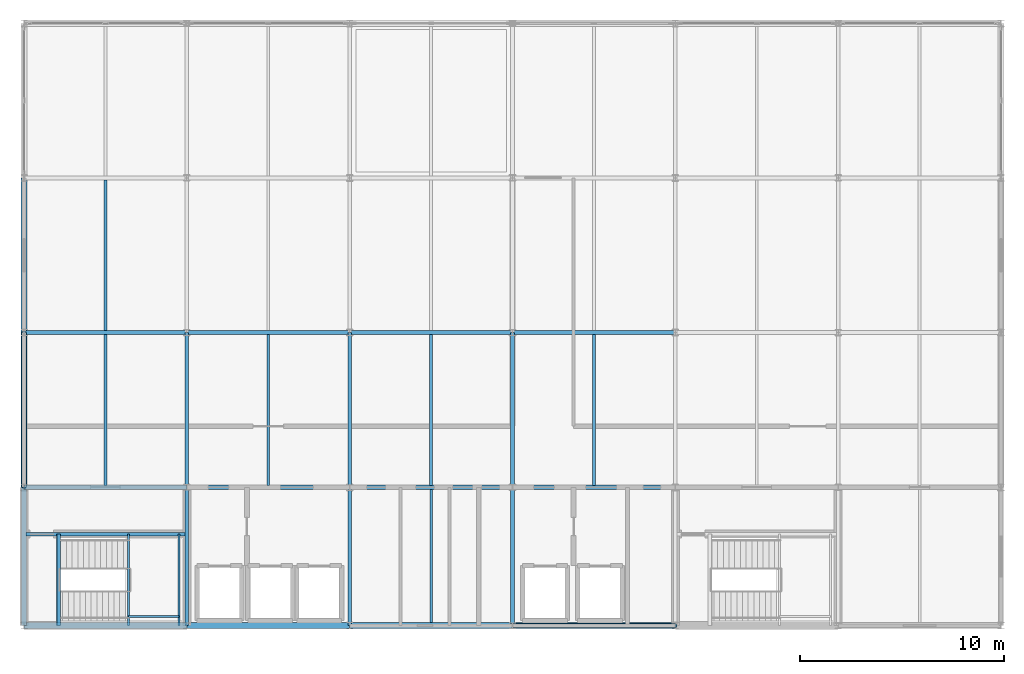
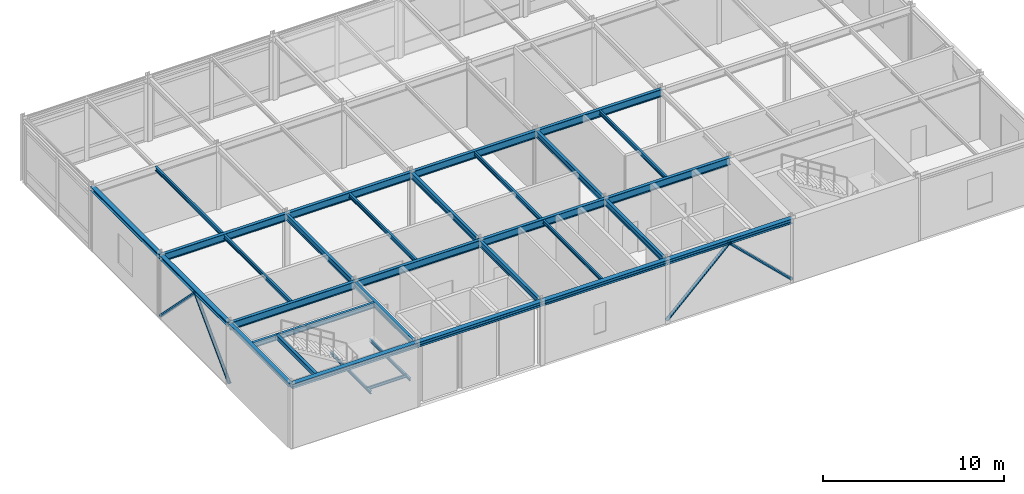
# One storey, part 3 of 12: 32 beams, 4 members.
"""IFC4 building model written with IfcOpenShell, lengths in metres."""

import ifcopenshell
import ifcopenshell.guid

model = None  # the IFC model being written
_history = None  # IfcOwnerHistory: only IFC2X3 demands one
_inside = {}  # id of a spatial element -> (the spatial element, [elements in it])
_under = {}  # id of a project, library or spatial element -> (it, [spatial elements below it])
_declared = {}  # id of a project -> (the project, [libraries it declares])
_typed = {}  # id of a type object -> (the type object, [elements of that type])
_made_of = {}  # id of a material, layer set ... -> (it, [elements and type objects made of it])


def new_model(schema):
    """Start an empty IFC model of exactly this schema.

    Asked for "IFC4X3", IfcOpenShell would pick the latest addendum, in which some entities
    have other attributes; the version numbers below select the first issue.
    IFC2X3 requires an IfcOwnerHistory on every rooted entity: one is made here for all.
    """
    global model, _history
    if schema == "IFC4X3":
        model = ifcopenshell.file(schema_version=(4, 3, 0, 0))
    else:
        model = ifcopenshell.file(schema=schema)
    _inside.clear()
    _under.clear()
    _declared.clear()
    _typed.clear()
    _made_of.clear()
    _history = None
    if model.schema == "IFC2X3":
        org = make("IfcOrganization", Name="unknown")
        user = make(
            "IfcPersonAndOrganization",
            ThePerson=make("IfcPerson", FamilyName="unknown"),
            TheOrganization=org,
        )
        app = make(
            "IfcApplication",
            ApplicationDeveloper=org,
            Version="unknown",
            ApplicationFullName="unknown",
            ApplicationIdentifier="unknown",
        )
        _history = make(
            "IfcOwnerHistory",
            OwningUser=user,
            OwningApplication=app,
            ChangeAction="ADDED",
            CreationDate=0,
        )
    return model


def make(cls, **values):
    """One entity of the class cls with the attributes given. An attribute that is None is left unset."""
    return model.create_entity(
        cls, **{name: value for name, value in values.items() if value is not None}
    )


def rooted(cls, **values):
    """An entity with a GlobalId (a new one), such as an element, a storey or a relation."""
    return make(cls, GlobalId=ifcopenshell.guid.new(), OwnerHistory=_history, **values)


def si_unit(unit_type, name, prefix=None):
    """IfcSIUnit, for example si_unit("LENGTHUNIT", "METRE", prefix="MILLI")."""
    return make("IfcSIUnit", UnitType=unit_type, Prefix=prefix, Name=name)


def assignment(units):
    """IfcUnitAssignment: the units of a project."""
    return None if units is None else make("IfcUnitAssignment", Units=units)


def point(xyz):
    """IfcCartesianPoint."""
    return None if xyz is None else make("IfcCartesianPoint", Coordinates=xyz)


def direction(xyz):
    """IfcDirection."""
    return None if xyz is None else make("IfcDirection", DirectionRatios=xyz)


def frame(location, z_axis=None, x_axis=None):
    """IfcAxis2Placement3D, a coordinate frame: its origin and axes. An axis left out is left unset."""
    return make(
        "IfcAxis2Placement3D",
        Location=point(location),
        Axis=direction(z_axis),
        RefDirection=direction(x_axis),
    )


def frame_2d(location, x_axis=None):
    """IfcAxis2Placement2D, a coordinate frame in the plane: its origin and x axis."""
    return make(
        "IfcAxis2Placement2D", Location=point(location), RefDirection=direction(x_axis)
    )


def origin():
    """The frame at (0, 0, 0) with its axes left unset."""
    return frame((0.0, 0.0, 0.0))


def origin_2d():
    """The frame at (0, 0) in the plane with its x axis left unset."""
    return frame_2d((0.0, 0.0))


def place(relative_to, where):
    """IfcLocalPlacement: puts the frame where relative to a parent placement (None: the world)."""
    return make(
        "IfcLocalPlacement", PlacementRelTo=relative_to, RelativePlacement=where
    )


def context(
    kind, dimensions, precision=None, world=None, true_north=None, identifier=None
):
    """IfcGeometricRepresentationContext, for example the 3D "Model" context."""
    return make(
        "IfcGeometricRepresentationContext",
        ContextIdentifier=identifier,
        ContextType=kind,
        CoordinateSpaceDimension=dimensions,
        Precision=precision,
        WorldCoordinateSystem=world,
        TrueNorth=true_north,
    )


def subcontext(parent, identifier, kind, view, scale=None):
    """IfcGeometricRepresentationSubContext, for example "Body" below "Model"."""
    return make(
        "IfcGeometricRepresentationSubContext",
        ContextIdentifier=identifier,
        ContextType=kind,
        ParentContext=parent,
        TargetScale=scale,
        TargetView=view,
    )


def project(units=None, contexts=None):
    """IfcProject with its units and contexts."""
    return rooted(
        "IfcProject",
        Name="project",
        RepresentationContexts=contexts,
        UnitsInContext=assignment(units),
    )


def spatial(cls, under=None, at=None, **own):
    """A site, building, storey or space (cls), placed at a placement, below another one or the project."""
    s = rooted(cls, ObjectPlacement=at, **own)
    if under is not None:
        _under.setdefault(under.id(), (under, []))[1].append(s)
    return s


def profile(cls, at=None, kind="AREA", **sizes):
    """A parametric profile (cls). Its sizes go by their IFC names, for example OverallWidth=200.0."""
    return make(cls, ProfileType=kind, Position=at, **sizes)


def hollow_rectangle(**sizes):
    """IfcRectangleHollowProfileDef."""
    return profile("IfcRectangleHollowProfileDef", **sizes)


def hollow_circle(**sizes):
    """IfcCircleHollowProfileDef."""
    return profile("IfcCircleHollowProfileDef", **sizes)


def i_section(**sizes):
    """IfcIShapeProfileDef."""
    return profile("IfcIShapeProfileDef", **sizes)


def extrude(swept, where, along, depth):
    """IfcExtrudedAreaSolid: the profile swept, set in the frame where, extruded along a direction by depth."""
    return make(
        "IfcExtrudedAreaSolid",
        SweptArea=swept,
        Position=where,
        ExtrudedDirection=direction(along),
        Depth=depth,
    )


def shape(context_of_items, identifier, shape_type, items):
    """IfcShapeRepresentation: the items that make up one representation, for example the "Body"."""
    return make(
        "IfcShapeRepresentation",
        ContextOfItems=context_of_items,
        RepresentationIdentifier=identifier,
        RepresentationType=shape_type,
        Items=items,
    )


def material(Name=None, Category=None):
    """IfcMaterial."""
    return make("IfcMaterial", Name=Name, Category=Category)


def material_profile(
    of_material, cross_section, Name=None, Category=None, Priority=None
):
    """IfcMaterialProfile: a cross section and its material."""
    return make(
        "IfcMaterialProfile",
        Name=Name,
        Material=of_material,
        Profile=cross_section,
        Priority=Priority,
        Category=Category,
    )


def profile_set(profiles, Name=None, composite=None):
    """IfcMaterialProfileSet."""
    return make(
        "IfcMaterialProfileSet",
        Name=Name,
        MaterialProfiles=profiles,
        CompositeProfile=composite,
    )


def made_of(thing, what):
    """Note that an element or type object is made of a material, layer set ...; save() writes the relation."""
    if what is not None:
        _made_of.setdefault(what.id(), (what, []))[1].append(thing)
    return thing


def type_object(cls, material=None, **own):
    """A type object (cls), such as IfcWallType, which elements share."""
    return made_of(rooted(cls, **own), material)


def element(
    cls,
    number,
    at=None,
    inside=None,
    cuts=None,
    type_object=None,
    material=None,
    context=None,
    identifier="Body",
    shape_type=None,
    held_by="IfcProductDefinitionShape",
    body=None,
    shapes=None,
    **own,
):
    """One element of the class cls, such as IfcWall. Its Tag is "e" and its number.

    at: its placement. inside: the storey or other place that contains it. cuts: it is an
    opening in that element (IfcRelVoidsElement). A single representation is given by context,
    identifier, shape_type and body (its items); several are given by shapes. held_by: the class
    of the entity that holds the representations. save() writes the other relations.
    """
    e = rooted(cls, Tag="e%d" % number, ObjectPlacement=at, **own)
    if body is not None:
        shapes = [shape(context, identifier, shape_type, body)]
    if shapes is not None:
        e.Representation = make(held_by, Representations=shapes)
    if inside is not None:
        _inside.setdefault(inside.id(), (inside, []))[1].append(e)
    if cuts is not None:
        rooted(
            "IfcRelVoidsElement", RelatingBuildingElement=cuts, RelatedOpeningElement=e
        )
    if type_object is not None:
        _typed.setdefault(type_object.id(), (type_object, []))[1].append(e)
    return made_of(e, material)


def aggregate(whole, parts):
    """IfcRelAggregates: a whole, such as a stair, and the parts it consists of."""
    return rooted("IfcRelAggregates", RelatingObject=whole, RelatedObjects=parts)


def save(model, path):
    """Write the relations noted so far, then the file.

    IfcRelAggregates (storeys below a building ...), IfcRelContainedInSpatialStructure (elements
    in a storey), IfcRelDefinesByType, IfcRelAssociatesMaterial and IfcRelDeclares: one each for
    every whole, place, type object, material and project.
    """
    for whole, parts in _under.values():
        aggregate(whole, parts)
    for where, things in _inside.values():
        rooted(
            "IfcRelContainedInSpatialStructure",
            RelatedElements=things,
            RelatingStructure=where,
        )
    for kind, things in _typed.values():
        rooted("IfcRelDefinesByType", RelatedObjects=things, RelatingType=kind)
    for what, things in _made_of.values():
        rooted("IfcRelAssociatesMaterial", RelatedObjects=things, RelatingMaterial=what)
    for by, libraries in _declared.values():
        rooted("IfcRelDeclares", RelatingContext=by, RelatedDefinitions=libraries)
    model.write(path)


model = new_model("IFC4")

# Units and contexts
model_context = context("Model", 3, precision=1e-05, world=origin(), true_north=direction((0.0, 1.0)))
body_context = subcontext(model_context, "Body", "Model", "MODEL_VIEW")
ifc_project = project(units=[si_unit("LENGTHUNIT", "METRE"), si_unit("AREAUNIT", "SQUARE_METRE"), si_unit("VOLUMEUNIT", "CUBIC_METRE"), si_unit("PLANEANGLEUNIT", "RADIAN"), si_unit("MASSUNIT", "GRAM", prefix="KILO")], contexts=[model_context])

# Site, building, storey
site_placement = place(None, origin())
site = spatial("IfcSite", under=ifc_project, at=site_placement, CompositionType="ELEMENT")
building_placement = place(site_placement, origin())
building = spatial("IfcBuilding", under=site, at=building_placement, Name="Shalkamar Park Central Library", CompositionType="ELEMENT")
storey_placement = place(building_placement, frame((0.0, 0.0, 67.800048828125)))
storey = spatial("IfcBuildingStorey", under=building, at=storey_placement, Name="L17", CompositionType="ELEMENT", Elevation=67.800048828125)

# Beams
ifc_material = material(Name="Steel S355", Category="steel")
ifc_material_profile_1 = material_profile(ifc_material, i_section(OverallWidth=0.10009765625, OverallDepth=0.199951171875, WebThickness=0.005615234375, FlangeThickness=0.008544921875, FilletRadius=0.011962890625, at=origin_2d()), Name="IPE 200")
ifc_profile_set_1 = profile_set([ifc_material_profile_1], Name="Steel S355")
beam_type_1 = type_object("IfcBeamType", Name="Composite Floor Joist IPE200", PredefinedType="JOIST", material=ifc_profile_set_1)
for number, where, z_axis, x_axis, name in (
    (1, (170.1201171875, 248.39990234375, 1.869873046875), (0.0, 1.0, 0.0), (-1.0, 0.0, 0.0), "Stair Half-Landing Beam ST-T1-L17-1"),
    (2, (172.6201171875, 248.39990234375, 1.869873046875), (0.0, 1.0, 0.0), (-1.0, 0.0, 0.0), "Stair Half-Landing Beam ST-T1-L17-2"),
):
    element("IfcBeam", number, at=place(storey_placement, frame(where, z_axis=z_axis, x_axis=x_axis)), inside=storey, type_object=beam_type_1, Name=name, PredefinedType="JOIST", context=body_context, shape_type="SweptSolid", body=[
        extrude(i_section(OverallWidth=0.10009765625, OverallDepth=0.199951171875, WebThickness=0.005615234375, FlangeThickness=0.008544921875, FilletRadius=0.011962890625, at=origin_2d()), origin(), (0.0, 0.0, 1.0), 4.5),
    ])
beam_1_placement = place(storey_placement, frame((170.1201171875, 248.85009765625, 1.869873046875), z_axis=(1.0, 0.0, 0.0), x_axis=(0.0, 1.0, 0.0)))
element("IfcBeam", 3, at=beam_1_placement, inside=storey, type_object=beam_type_1, Name="Stair Half-Landing Cross Tie ST-T1-L17-3", PredefinedType="JOIST", context=body_context, shape_type="SweptSolid", body=[
    extrude(i_section(OverallWidth=0.10009765625, OverallDepth=0.199951171875, WebThickness=0.005615234375, FlangeThickness=0.008544921875, FilletRadius=0.011962890625, at=origin_2d()), origin(), (0.0, 0.0, 1.0), 2.5),
])
ifc_material_profile_2 = material_profile(ifc_material, i_section(OverallWidth=0.1201171875, OverallDepth=0.239990234375, WebThickness=0.006103515625, FlangeThickness=0.009765625, FilletRadius=0.014892578125, at=origin_2d()), Name="IPE 240")
ifc_profile_set_2 = profile_set([ifc_material_profile_2], Name="Steel S355")
beam_type_2 = type_object("IfcBeamType", Name="Composite Floor Joist IPE240", PredefinedType="JOIST", material=ifc_profile_set_2)
beam_2_placement = place(storey_placement, frame((185.0, 248.548095703125, 4.179931640625), z_axis=(0.0, 1.0, 0.0), x_axis=(-1.0, 0.0, 0.0)))
element("IfcBeam", 4, at=beam_2_placement, inside=storey, type_object=beam_type_2, Name="Composite Joist 09/B-1 (L17)", PredefinedType="JOIST", context=body_context, shape_type="SweptSolid", body=[
    extrude(i_section(OverallWidth=0.1201171875, OverallDepth=0.239990234375, WebThickness=0.006103515625, FlangeThickness=0.009765625, FilletRadius=0.014892578125, at=origin_2d()), origin(), (0.0, 0.0, 1.0), 6.553955078125),
])
ifc_material_profile_3 = material_profile(ifc_material, i_section(OverallWidth=0.135009765625, OverallDepth=0.27001953125, WebThickness=0.006591796875, FlangeThickness=0.01025390625, FilletRadius=0.014892578125, at=origin_2d()), Name="IPE 270")
ifc_profile_set_3 = profile_set([ifc_material_profile_3], Name="Steel S355")
beam_type_3 = type_object("IfcBeamType", Name="Composite Floor Joist IPE270", PredefinedType="JOIST", material=ifc_profile_set_3)
beam_3_placement = place(storey_placement, frame((169.0, 255.298095703125, 4.1650390625), z_axis=(0.0, 1.0, 0.0), x_axis=(-1.0, 0.0, 0.0)))
element("IfcBeam", 5, at=beam_3_placement, inside=storey, type_object=beam_type_3, Name="Composite Joist 07/C-1 (L17)", PredefinedType="JOIST", context=body_context, shape_type="SweptSolid", body=[
    extrude(i_section(OverallWidth=0.135009765625, OverallDepth=0.27001953125, WebThickness=0.006591796875, FlangeThickness=0.01025390625, FilletRadius=0.014892578125, at=origin_2d()), origin(), (0.0, 0.0, 1.0), 7.40380859375),
])
beam_4_placement = place(storey_placement, frame((169.0, 262.89794921875, 4.1650390625), z_axis=(0.0, 1.0, 0.0), x_axis=(-1.0, 0.0, 0.0)))
element("IfcBeam", 6, at=beam_4_placement, inside=storey, type_object=beam_type_3, Name="Composite Joist 07/D-1 (L17)", PredefinedType="JOIST", context=body_context, shape_type="SweptSolid", body=[
    extrude(i_section(OverallWidth=0.135009765625, OverallDepth=0.27001953125, WebThickness=0.006591796875, FlangeThickness=0.01025390625, FilletRadius=0.014892578125, at=origin_2d()), origin(), (0.0, 0.0, 1.0), 7.404052734375),
])
for number, where, z_axis, x_axis, name in (
    (7, (177.0, 255.298095703125, 4.1650390625), (0.0, 1.0, 0.0), (-1.0, 0.0, 0.0), "Composite Joist 08/C-1 (L17)"),
    (8, (185.0, 255.298095703125, 4.1650390625), (0.0, 1.0, 0.0), (-1.0, 0.0, 0.0), "Composite Joist 09/C-1 (L17)"),
    (9, (193.0, 255.298095703125, 4.1650390625), (0.0, 1.0, 0.0), (-1.0, 0.0, 0.0), "Composite Joist 10/C-1 (L17)"),
):
    element("IfcBeam", number, at=place(storey_placement, frame(where, z_axis=z_axis, x_axis=x_axis)), inside=storey, type_object=beam_type_3, Name=name, PredefinedType="JOIST", context=body_context, shape_type="SweptSolid", body=[
        extrude(i_section(OverallWidth=0.135009765625, OverallDepth=0.27001953125, WebThickness=0.006591796875, FlangeThickness=0.01025390625, FilletRadius=0.014892578125, at=origin_2d()), origin(), (0.0, 0.0, 1.0), 7.40380859375),
    ])

# Members
ifc_material_profile_4 = material_profile(ifc_material, hollow_circle(Radius=0.109619140625, WallThickness=0.010009765625, at=origin_2d()), Name="CHS 219.1x10")
ifc_profile_set_4 = profile_set([ifc_material_profile_4], Name="Steel S355")
member_type = type_object("IfcMemberType", Name="Diagonal Brace CHS219", PredefinedType="BRACE", material=ifc_profile_set_4)
for number, where, z_axis, x_axis, name in (
    (10, (165.0, 255.199951171875, 0.14990234375), (0.0, 0.702465710761, 0.711717588096), (-1.0, 0.0, 0.0), "Chevron Brace TW-W Leg A (L17)"),
    (11, (165.0, 262.800048828125, 0.14990234375), (0.0, -0.702465710761, 0.711717588096), (1.0, 0.0, 0.0), "Chevron Brace TW-W Leg B (L17)"),
):
    element("IfcMember", number, at=place(storey_placement, frame(where, z_axis=z_axis, x_axis=x_axis)), inside=storey, type_object=member_type, Name=name, PredefinedType="BRACE", context=body_context, shape_type="SweptSolid", body=[
        extrude(hollow_circle(Radius=0.109619140625, WallThickness=0.010009765625, at=origin_2d()), origin(), (0.0, 0.0, 1.0), 5.40966796875),
    ])
for number, where, z_axis, x_axis, name in (
    (12, (189.0, 248.39990234375, 0.14990234375), (0.720478064824, 0.0, 0.693477727189), (0.0, 1.0, 0.0), "Chevron Brace TW-S Leg A (L17)"),
    (13, (197.0, 248.39990234375, 0.14990234375), (-0.720478064824, 0.0, 0.693477727189), (0.0, -1.0, 0.0), "Chevron Brace TW-S Leg B (L17)"),
):
    element("IfcMember", number, at=place(storey_placement, frame(where, z_axis=z_axis, x_axis=x_axis)), inside=storey, type_object=member_type, Name=name, PredefinedType="BRACE", context=body_context, shape_type="SweptSolid", body=[
        extrude(hollow_circle(Radius=0.109619140625, WallThickness=0.010009765625, at=origin_2d()), origin(), (0.0, 0.0, 1.0), 5.5517578125),
    ])

# Beams
ifc_material_profile_5 = material_profile(ifc_material, i_section(OverallWidth=0.239990234375, OverallDepth=0.22998046875, WebThickness=0.007568359375, FlangeThickness=0.011962890625, FilletRadius=0.02099609375, at=origin_2d()), Name="HEA 240")
ifc_profile_set_5 = profile_set([ifc_material_profile_5], Name="Steel S355")
beam_type_4 = type_object("IfcBeamType", Name="Perimeter Spandrel Beam HEA240", PredefinedType="SPANDREL", material=ifc_profile_set_5)
beam_5_placement = place(storey_placement, frame((165.0, 248.39990234375, 4.18505859375), z_axis=(0.0, 1.0, 0.0), x_axis=(-1.0, 0.0, 0.0)))
element("IfcBeam", 14, at=beam_5_placement, inside=storey, type_object=beam_type_4, Name="Beam 07:B-C (L17)", PredefinedType="SPANDREL", context=body_context, shape_type="SweptSolid", body=[
    extrude(i_section(OverallWidth=0.239990234375, OverallDepth=0.22998046875, WebThickness=0.007568359375, FlangeThickness=0.011962890625, FilletRadius=0.02099609375, at=origin_2d()), origin(), (0.0, 0.0, 1.0), 6.800048828125),
])
ifc_material_profile_6 = material_profile(ifc_material, i_section(OverallWidth=0.280029296875, OverallDepth=0.27001953125, WebThickness=0.008056640625, FlangeThickness=0.012939453125, FilletRadius=0.02392578125, at=origin_2d()), Name="HEA 280")
ifc_profile_set_6 = profile_set([ifc_material_profile_6], Name="Steel S355")
beam_type_5 = type_object("IfcBeamType", Name="Perimeter Spandrel Beam HEA280", PredefinedType="SPANDREL", material=ifc_profile_set_6)
beam_6_placement = place(storey_placement, frame((165.0, 255.199951171875, 4.1650390625), z_axis=(0.0, 1.0, 0.0), x_axis=(-1.0, 0.0, 0.0)))
element("IfcBeam", 15, at=beam_6_placement, inside=storey, type_object=beam_type_5, Name="Beam 07:C-D (L17)", PredefinedType="SPANDREL", context=body_context, shape_type="SweptSolid", body=[
    extrude(i_section(OverallWidth=0.280029296875, OverallDepth=0.27001953125, WebThickness=0.008056640625, FlangeThickness=0.012939453125, FilletRadius=0.02392578125, at=origin_2d()), origin(), (0.0, 0.0, 1.0), 7.60009765625),
])
beam_7_placement = place(storey_placement, frame((165.0, 262.800048828125, 4.1650390625), z_axis=(0.0, 1.0, 0.0), x_axis=(-1.0, 0.0, 0.0)))
element("IfcBeam", 16, at=beam_7_placement, inside=storey, type_object=beam_type_5, Name="Beam 07:D-E (L17)", PredefinedType="SPANDREL", context=body_context, shape_type="SweptSolid", body=[
    extrude(i_section(OverallWidth=0.280029296875, OverallDepth=0.27001953125, WebThickness=0.008056640625, FlangeThickness=0.012939453125, FilletRadius=0.02392578125, at=origin_2d()), origin(), (0.0, 0.0, 1.0), 7.599853515625),
])
ifc_material_profile_7 = material_profile(ifc_material, i_section(OverallWidth=0.300048828125, OverallDepth=0.31005859375, WebThickness=0.009033203125, FlangeThickness=0.015380859375, FilletRadius=0.027099609375, at=origin_2d()), Name="HEA 320")
ifc_profile_set_7 = profile_set([ifc_material_profile_7], Name="Steel S355")
beam_type_6 = type_object("IfcBeamType", Name="Perimeter Spandrel Beam HEA320", PredefinedType="SPANDREL", material=ifc_profile_set_7)
for number, where, z_axis, x_axis, name in (
    (17, (165.0, 248.39990234375, 4.14501953125), (1.0, 0.0, 0.0), (0.0, 1.0, 0.0), "Beam B:07-08 (L17)"),
    (18, (173.0, 248.39990234375, 4.14501953125), (1.0, 0.0, 0.0), (0.0, 1.0, 0.0), "Beam B:08-09 (L17)"),
    (19, (181.0, 248.39990234375, 4.14501953125), (1.0, 0.0, 0.0), (0.0, 1.0, 0.0), "Beam B:09-10 (L17)"),
    (20, (189.0, 248.39990234375, 4.14501953125), (1.0, 0.0, 0.0), (0.0, 1.0, 0.0), "Beam B:10-11 (L17)"),
):
    element("IfcBeam", number, at=place(storey_placement, frame(where, z_axis=z_axis, x_axis=x_axis)), inside=storey, type_object=beam_type_6, Name=name, PredefinedType="SPANDREL", context=body_context, shape_type="SweptSolid", body=[
        extrude(i_section(OverallWidth=0.300048828125, OverallDepth=0.31005859375, WebThickness=0.009033203125, FlangeThickness=0.015380859375, FilletRadius=0.027099609375, at=origin_2d()), origin(), (0.0, 0.0, 1.0), 8.0),
    ])
ifc_material_profile_8 = material_profile(ifc_material, i_section(OverallWidth=0.169921875, OverallDepth=0.360107421875, WebThickness=0.008056640625, FlangeThickness=0.0126953125, FilletRadius=0.01806640625, at=origin_2d()), Name="IPE 360")
ifc_profile_set_8 = profile_set([ifc_material_profile_8], Name="Steel S355")
beam_type_7 = type_object("IfcBeamType", Name="Primary Girder IPE360", PredefinedType="BEAM", material=ifc_profile_set_8)
beam_8_placement = place(storey_placement, frame((165.087890625, 252.89990234375, 4.119873046875), z_axis=(1.0, 0.0, 0.0), x_axis=(0.0, 1.0, 0.0)))
element("IfcBeam", 21, at=beam_8_placement, inside=storey, type_object=beam_type_7, Name="CORE-T1 Stairwell Divider Beam (L17)", PredefinedType="BEAM", context=body_context, shape_type="SweptSolid", body=[
    extrude(i_section(OverallWidth=0.169921875, OverallDepth=0.360107421875, WebThickness=0.008056640625, FlangeThickness=0.0126953125, FilletRadius=0.01806640625, at=origin_2d()), origin(), (0.0, 0.0, 1.0), 7.82421875),
])
ifc_material_profile_9 = material_profile(ifc_material, i_section(OverallWidth=0.179931640625, OverallDepth=0.39990234375, WebThickness=0.008544921875, FlangeThickness=0.013427734375, FilletRadius=0.02099609375, at=origin_2d()), Name="IPE 400")
ifc_profile_set_9 = profile_set([ifc_material_profile_9], Name="Steel S355")
beam_type_8 = type_object("IfcBeamType", Name="Primary Girder IPE400", PredefinedType="BEAM", material=ifc_profile_set_9)
beam_9_placement = place(storey_placement, frame((173.0, 248.39990234375, 4.099853515625), z_axis=(0.0, 1.0, 0.0), x_axis=(-1.0, 0.0, 0.0)))
element("IfcBeam", 22, at=beam_9_placement, inside=storey, type_object=beam_type_8, Name="Beam 08:B-C (L17)", PredefinedType="BEAM", context=body_context, shape_type="SweptSolid", body=[
    extrude(i_section(OverallWidth=0.179931640625, OverallDepth=0.39990234375, WebThickness=0.008544921875, FlangeThickness=0.013427734375, FilletRadius=0.02099609375, at=origin_2d()), origin(), (0.0, 0.0, 1.0), 6.800048828125),
])
beam_10_placement = place(storey_placement, frame((173.0, 255.199951171875, 4.099853515625), z_axis=(0.0, 1.0, 0.0), x_axis=(-1.0, 0.0, 0.0)))
element("IfcBeam", 23, at=beam_10_placement, inside=storey, type_object=beam_type_8, Name="Beam 08:C-D (L17)", PredefinedType="BEAM", context=body_context, shape_type="SweptSolid", body=[
    extrude(i_section(OverallWidth=0.179931640625, OverallDepth=0.39990234375, WebThickness=0.008544921875, FlangeThickness=0.013427734375, FilletRadius=0.02099609375, at=origin_2d()), origin(), (0.0, 0.0, 1.0), 7.60009765625),
])
beam_11_placement = place(storey_placement, frame((181.0, 248.39990234375, 4.099853515625), z_axis=(0.0, 1.0, 0.0), x_axis=(-1.0, 0.0, 0.0)))
element("IfcBeam", 24, at=beam_11_placement, inside=storey, type_object=beam_type_8, Name="Beam 09:B-C (L17)", PredefinedType="BEAM", context=body_context, shape_type="SweptSolid", body=[
    extrude(i_section(OverallWidth=0.179931640625, OverallDepth=0.39990234375, WebThickness=0.008544921875, FlangeThickness=0.013427734375, FilletRadius=0.02099609375, at=origin_2d()), origin(), (0.0, 0.0, 1.0), 6.800048828125),
])
beam_12_placement = place(storey_placement, frame((181.0, 255.199951171875, 4.099853515625), z_axis=(0.0, 1.0, 0.0), x_axis=(-1.0, 0.0, 0.0)))
element("IfcBeam", 25, at=beam_12_placement, inside=storey, type_object=beam_type_8, Name="Beam 09:C-D (L17)", PredefinedType="BEAM", context=body_context, shape_type="SweptSolid", body=[
    extrude(i_section(OverallWidth=0.179931640625, OverallDepth=0.39990234375, WebThickness=0.008544921875, FlangeThickness=0.013427734375, FilletRadius=0.02099609375, at=origin_2d()), origin(), (0.0, 0.0, 1.0), 7.60009765625),
])
beam_13_placement = place(storey_placement, frame((189.0, 248.39990234375, 4.099853515625), z_axis=(0.0, 1.0, 0.0), x_axis=(-1.0, 0.0, 0.0)))
element("IfcBeam", 26, at=beam_13_placement, inside=storey, type_object=beam_type_8, Name="Beam 10:B-C (L17)", PredefinedType="BEAM", context=body_context, shape_type="SweptSolid", body=[
    extrude(i_section(OverallWidth=0.179931640625, OverallDepth=0.39990234375, WebThickness=0.008544921875, FlangeThickness=0.013427734375, FilletRadius=0.02099609375, at=origin_2d()), origin(), (0.0, 0.0, 1.0), 6.800048828125),
])
beam_14_placement = place(storey_placement, frame((189.0, 255.199951171875, 4.099853515625), z_axis=(0.0, 1.0, 0.0), x_axis=(-1.0, 0.0, 0.0)))
element("IfcBeam", 27, at=beam_14_placement, inside=storey, type_object=beam_type_8, Name="Beam 10:C-D (L17)", PredefinedType="BEAM", context=body_context, shape_type="SweptSolid", body=[
    extrude(i_section(OverallWidth=0.179931640625, OverallDepth=0.39990234375, WebThickness=0.008544921875, FlangeThickness=0.013427734375, FilletRadius=0.02099609375, at=origin_2d()), origin(), (0.0, 0.0, 1.0), 7.60009765625),
])
ifc_material_profile_10 = material_profile(ifc_material, i_section(OverallWidth=0.199951171875, OverallDepth=0.5, WebThickness=0.01025390625, FlangeThickness=0.01611328125, FilletRadius=0.02099609375, at=origin_2d()), Name="IPE 500")
ifc_profile_set_10 = profile_set([ifc_material_profile_10], Name="Steel S355")
beam_type_9 = type_object("IfcBeamType", Name="Primary Girder IPE500", PredefinedType="BEAM", material=ifc_profile_set_10)
for number, where, z_axis, x_axis, name in (
    (28, (165.0, 255.199951171875, 4.050048828125), (1.0, 0.0, 0.0), (0.0, 1.0, 0.0), "Beam C:07-08 (L17)"),
    (29, (173.0, 255.199951171875, 4.050048828125), (1.0, 0.0, 0.0), (0.0, 1.0, 0.0), "Beam C:08-09 (L17)"),
    (30, (181.0, 255.199951171875, 4.050048828125), (1.0, 0.0, 0.0), (0.0, 1.0, 0.0), "Beam C:09-10 (L17)"),
    (31, (189.0, 255.199951171875, 4.050048828125), (1.0, 0.0, 0.0), (0.0, 1.0, 0.0), "Beam C:10-11 (L17)"),
    (32, (165.0, 262.800048828125, 4.050048828125), (1.0, 0.0, 0.0), (0.0, 1.0, 0.0), "Beam D:07-08 (L17)"),
    (33, (173.0, 262.800048828125, 4.050048828125), (1.0, 0.0, 0.0), (0.0, 1.0, 0.0), "Beam D:08-09 (L17)"),
    (34, (181.0, 262.800048828125, 4.050048828125), (1.0, 0.0, 0.0), (0.0, 1.0, 0.0), "Beam D:09-10 (L17)"),
    (35, (189.0, 262.800048828125, 4.050048828125), (1.0, 0.0, 0.0), (0.0, 1.0, 0.0), "Beam D:10-11 (L17)"),
):
    element("IfcBeam", number, at=place(storey_placement, frame(where, z_axis=z_axis, x_axis=x_axis)), inside=storey, type_object=beam_type_9, Name=name, PredefinedType="BEAM", context=body_context, shape_type="SweptSolid", body=[
        extrude(i_section(OverallWidth=0.199951171875, OverallDepth=0.5, WebThickness=0.01025390625, FlangeThickness=0.01611328125, FilletRadius=0.02099609375, at=origin_2d()), origin(), (0.0, 0.0, 1.0), 8.0),
    ])
ifc_material_profile_11 = material_profile(ifc_material, hollow_rectangle(XDim=0.199951171875, YDim=0.300048828125, WallThickness=0.011962890625, InnerFilletRadius=0.011962890625, OuterFilletRadius=0.01806640625, at=origin_2d()), Name="RHS 300x200x12")
ifc_profile_set_11 = profile_set([ifc_material_profile_11], Name="Steel S355")
beam_type_10 = type_object("IfcBeamType", Name="Stair Trimmer Box RHS300x200", PredefinedType="BEAM", material=ifc_profile_set_11)
beam_15_placement = place(storey_placement, frame((166.699951171875, 248.39990234375, 4.14990234375), z_axis=(0.0, 1.0, 0.0), x_axis=(-1.0, 0.0, 0.0)))
element("IfcBeam", 36, at=beam_15_placement, inside=storey, type_object=beam_type_10, Name="Stair Arrival Trimmer Girder ST-T1-L17", PredefinedType="BEAM", context=body_context, shape_type="SweptSolid", body=[
    extrude(hollow_rectangle(XDim=0.199951171875, YDim=0.300048828125, WallThickness=0.011962890625, InnerFilletRadius=0.011962890625, OuterFilletRadius=0.01806640625, at=origin_2d()), origin(), (0.0, 0.0, 1.0), 4.5),
])

save(model, "model.ifc")
